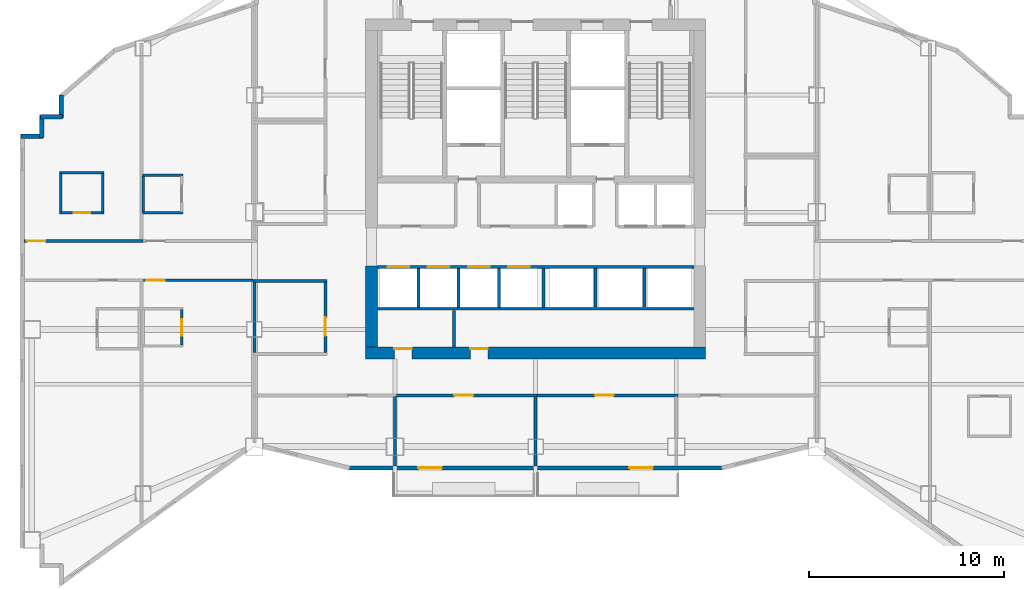
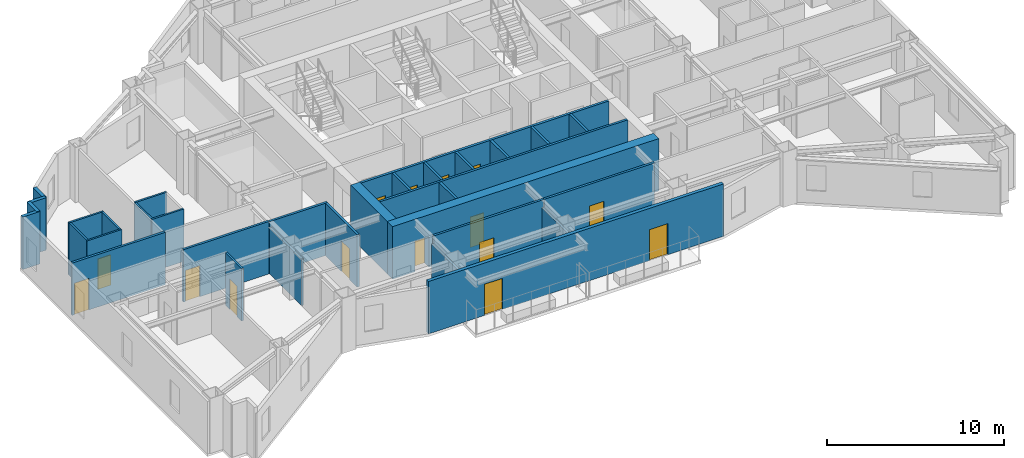
# One storey, part 5 of 12: 33 walls, 15 doors, 15 openings.
"""IFC4 building model written with IfcOpenShell, lengths in metres."""

from ifc_helpers import new_model, si_unit, direction, frame, frame_2d, origin, place, context, subcontext, project, spatial, rectangle, extrude, material, layer, layer_set, type_object, element, fill, save


model = new_model("IFC4")

# Units and contexts
model_context = context("Model", 3, precision=1e-05, world=origin(), true_north=direction((0.0, 1.0)))
body_context = subcontext(model_context, "Body", "Model", "MODEL_VIEW")
ifc_project = project(units=[si_unit("LENGTHUNIT", "METRE"), si_unit("AREAUNIT", "SQUARE_METRE"), si_unit("VOLUMEUNIT", "CUBIC_METRE"), si_unit("PLANEANGLEUNIT", "RADIAN"), si_unit("MASSUNIT", "GRAM", prefix="KILO")], contexts=[model_context])

# Site, building, storey
site_placement = place(None, origin())
site = spatial("IfcSite", under=ifc_project, at=site_placement, CompositionType="ELEMENT")
building_placement = place(site_placement, origin())
building = spatial("IfcBuilding", under=site, at=building_placement, Name="Haolan Belvedere Tower", CompositionType="ELEMENT")
storey_placement = place(building_placement, frame((0.0, 0.0, 169.0)))
storey = spatial("IfcBuildingStorey", under=building, at=storey_placement, Name="L42", CompositionType="ELEMENT", Elevation=169.0)

# Wall, openings, doors
ifc_material_1 = material(Name="Concrete C60/75", Category="concrete")
ifc_layer_1 = layer(ifc_material_1, 0.60009765625, Name="Concrete C60/75")
ifc_layer_set_1 = layer_set([ifc_layer_1], Name="Concrete C60/75")
wall_type_1 = type_object("IfcWallType", Name="WL-CORE-600", PredefinedType="SHEAR", material=ifc_layer_set_1)
wall_1_placement = place(storey_placement, frame((29.699951171875, 26.39990234375, 0.0), z_axis=(0.0, 0.0, 1.0), x_axis=(1.0, 0.0, 0.0)))
wall_1 = element("IfcWall", 1, at=wall_1_placement, inside=storey, type_object=wall_type_1, Name="L42 central core south shear wall", PredefinedType="SHEAR", context=body_context, shape_type="SweptSolid", body=[
    extrude(rectangle(XDim=17.400146484375, YDim=0.60009765625, at=frame_2d((8.7001953125, 0.0))), origin(), (0.0, 0.0, 1.0), 3.6201171875),
])
opening_1_placement = place(wall_1_placement, frame((2.369873046875, 0.0, 0.0), z_axis=(0.0, 0.0, 1.0), x_axis=(-1.0, 0.0, 0.0)))
opening_1 = element("IfcOpeningElement", 2, at=opening_1_placement, cuts=wall_1, Name="Opening FD-05", PredefinedType="OPENING", context=body_context, shape_type="SweptSolid", body=[
    extrude(rectangle(XDim=0.89990234375, YDim=2.10009765625, at=frame_2d((0.449951171875, 1.050048828125))), frame((0.0, 0.31005859375, 0.0), z_axis=(0.0, -1.0, 0.0), x_axis=(1.0, 0.0, 0.0)), (0.0, 0.0, 1.0), 0.6201171875),
])
opening_2_placement = place(wall_1_placement, frame((6.260009765625, 0.0, 0.0), z_axis=(0.0, 0.0, 1.0), x_axis=(-1.0, 0.0, 0.0)))
opening_2 = element("IfcOpeningElement", 3, at=opening_2_placement, cuts=wall_1, Name="Opening FD-05", PredefinedType="OPENING", context=body_context, shape_type="SweptSolid", body=[
    extrude(rectangle(XDim=0.89990234375, YDim=2.10009765625, at=frame_2d((0.449951171875, 1.050048828125))), frame((0.0, 0.31005859375, 0.0), z_axis=(0.0, -1.0, 0.0), x_axis=(1.0, 0.0, 0.0)), (0.0, 0.0, 1.0), 0.6201171875),
])
ifc_material_2 = material(Name="Galvanised fire-rated steel", Category="steel")
door_type_1 = type_object("IfcDoorType", Name="DR-FD60-900", OperationType="NOTDEFINED", PredefinedType="DOOR", material=ifc_material_2)
door_1_placement = place(opening_1_placement, origin())
door_1 = element("IfcDoor", 4, at=door_1_placement, inside=storey, type_object=door_type_1, Name="L42 door CD-L42-SCV-1", OperationType="SINGLE_SWING_LEFT", OverallHeight=2.10009765625, OverallWidth=0.89990234375, PredefinedType="DOOR", context=body_context, shape_type="SweptSolid", body=[
    extrude(rectangle(XDim=0.89990234375, YDim=2.10009765625, at=frame_2d((0.449951171875, 1.050048828125))), frame((0.0, -0.19482421875, 0.0), z_axis=(0.0, -1.0, 0.0), x_axis=(1.0, 0.0, 0.0)), (0.0, 0.0, 1.0), 0.050048828125),
])
fill(opening_1, door_1)
door_2_placement = place(opening_2_placement, origin())
door_2 = element("IfcDoor", 5, at=door_2_placement, inside=storey, type_object=door_type_1, Name="L42 door CD-L42-SCV-2", OperationType="SINGLE_SWING_RIGHT", OverallHeight=2.10009765625, OverallWidth=0.89990234375, PredefinedType="DOOR", context=body_context, shape_type="SweptSolid", body=[
    extrude(rectangle(XDim=0.89990234375, YDim=2.10009765625, at=frame_2d((0.449951171875, 1.050048828125))), frame((0.0, -0.19482421875, 0.0), z_axis=(0.0, -1.0, 0.0), x_axis=(1.0, 0.0, 0.0)), (0.0, 0.0, 1.0), 0.050048828125),
])
fill(opening_2, door_2)

# Wall
wall_2_placement = place(storey_placement, frame((30.0, 26.699951171875, 0.0), z_axis=(0.0, 0.0, 1.0), x_axis=(0.0, 1.0, 0.0)))
element("IfcWall", 6, at=wall_2_placement, inside=storey, type_object=wall_type_1, Name="L42 central core shear wall WS", PredefinedType="SHEAR", context=body_context, shape_type="SweptSolid", body=[
    extrude(rectangle(XDim=4.150146484375, YDim=0.60009765625, at=frame_2d((2.0751953125, 0.0))), origin(), (0.0, 0.0, 1.0), 3.6201171875),
])

# Wall, openings, doors
ifc_material_3 = material(Name="Precast concrete C40/50", Category="concrete")
ifc_layer_2 = layer(ifc_material_3, 0.219970703125, Name="Precast concrete C40/50")
ifc_layer_set_2 = layer_set([ifc_layer_2], Name="Precast concrete C40/50")
wall_type_2 = type_object("IfcWallType", Name="WL-EXT-220", PredefinedType="SOLIDWALL", material=ifc_layer_set_2)
wall_3_placement = place(storey_placement, frame((28.758544921875, 20.510009765625, 0.0), z_axis=(0.0, 0.0, 1.0), x_axis=(1.0, 0.0, 0.0)))
wall_3 = element("IfcWall", 7, at=wall_3_placement, inside=storey, type_object=wall_type_2, Name="L42 pale-metal exterior spandrel wall 1.1", PredefinedType="SOLIDWALL", context=body_context, shape_type="SweptSolid", body=[
    extrude(rectangle(XDim=19.282958984375, YDim=0.219970703125, at=frame_2d((9.6416015625, 0.0))), origin(), (0.0, 0.0, 1.0), 3.6201171875),
])
opening_3_placement = place(wall_3_placement, frame((4.841552734375, 0.0, 0.0), z_axis=(0.0, 0.0, 1.0), x_axis=(-1.0, 0.0, 0.0)))
opening_3 = element("IfcOpeningElement", 8, at=opening_3_placement, cuts=wall_3, Name="Opening BD-01", PredefinedType="OPENING", context=body_context, shape_type="SweptSolid", body=[
    extrude(rectangle(XDim=1.199951171875, YDim=2.14990234375, at=frame_2d((0.60009765625, 1.074951171875))), frame((0.0, 0.119873046875, 0.0), z_axis=(0.0, -1.0, 0.0), x_axis=(1.0, 0.0, 0.0)), (0.0, 0.0, 1.0), 0.239990234375),
])
opening_4_placement = place(wall_3_placement, frame((15.641357421875, 0.0, 0.0), z_axis=(0.0, 0.0, 1.0), x_axis=(-1.0, 0.0, 0.0)))
opening_4 = element("IfcOpeningElement", 9, at=opening_4_placement, cuts=wall_3, Name="Opening BD-01", PredefinedType="OPENING", context=body_context, shape_type="SweptSolid", body=[
    extrude(rectangle(XDim=1.199951171875, YDim=2.14990234375, at=frame_2d((0.60009765625, 1.074951171875))), frame((0.0, 0.119873046875, 0.0), z_axis=(0.0, -1.0, 0.0), x_axis=(1.0, 0.0, 0.0)), (0.0, 0.0, 1.0), 0.239990234375),
])
ifc_material_4 = material(Name="Thermally broken pale-metal aluminium and Low-E glass", Category="aluminium")
door_type_2 = type_object("IfcDoorType", Name="DR-BAL-1200", OperationType="NOTDEFINED", PredefinedType="DOOR", material=ifc_material_4)
door_3_placement = place(opening_3_placement, origin())
door_3 = element("IfcDoor", 10, at=door_3_placement, inside=storey, type_object=door_type_2, Name="L42 tree-balcony access door 1", OperationType="SINGLE_SWING_RIGHT", OverallHeight=2.14990234375, OverallWidth=1.199951171875, PredefinedType="DOOR", context=body_context, shape_type="SweptSolid", body=[
    extrude(rectangle(XDim=1.199951171875, YDim=2.14990234375, at=frame_2d((0.60009765625, 1.074951171875))), frame((0.0, 0.02490234375, 0.0), z_axis=(0.0, -1.0, 0.0), x_axis=(1.0, 0.0, 0.0)), (0.0, 0.0, 1.0), 0.050048828125),
])
fill(opening_3, door_3)
door_4_placement = place(opening_4_placement, origin())
door_4 = element("IfcDoor", 11, at=door_4_placement, inside=storey, type_object=door_type_2, Name="L42 tree-balcony access door 2", OperationType="SINGLE_SWING_LEFT", OverallHeight=2.14990234375, OverallWidth=1.199951171875, PredefinedType="DOOR", context=body_context, shape_type="SweptSolid", body=[
    extrude(rectangle(XDim=1.199951171875, YDim=2.14990234375, at=frame_2d((0.60009765625, 1.074951171875))), frame((0.0, 0.02490234375, 0.0), z_axis=(0.0, -1.0, 0.0), x_axis=(1.0, 0.0, 0.0)), (0.0, 0.0, 1.0), 0.050048828125),
])
fill(opening_4, door_4)

# Walls
wall_4_placement = place(storey_placement, frame((14.110107421875, 39.6044921875, 0.0), z_axis=(0.0, 0.0, 1.0), x_axis=(0.0, -1.0, 0.0)))
element("IfcWall", 12, at=wall_4_placement, inside=storey, type_object=wall_type_2, Name="L42 pale-metal exterior spandrel wall 31.1", PredefinedType="SOLIDWALL", context=body_context, shape_type="SweptSolid", body=[
    extrude(rectangle(XDim=1.16943359375, YDim=0.219970703125, at=frame_2d((0.584716796875, 0.0))), origin(), (0.0, 0.0, 1.0), 3.6201171875),
])
wall_5_placement = place(storey_placement, frame((14.1650390625, 38.489990234375, 0.0), z_axis=(0.0, 0.0, 1.0), x_axis=(-1.0, 0.0, 0.0)))
element("IfcWall", 13, at=wall_5_placement, inside=storey, type_object=wall_type_2, Name="L42 pale-metal exterior spandrel wall 32.1", PredefinedType="SOLIDWALL", context=body_context, shape_type="SweptSolid", body=[
    extrude(rectangle(XDim=1.110107421875, YDim=0.219970703125, at=frame_2d((0.55517578125, 0.0))), origin(), (0.0, 0.0, 1.0), 3.6201171875),
])
wall_6_placement = place(storey_placement, frame((13.110107421875, 38.544921875, 0.0), z_axis=(0.0, 0.0, 1.0), x_axis=(0.0, -1.0, 0.0)))
element("IfcWall", 14, at=wall_6_placement, inside=storey, type_object=wall_type_2, Name="L42 pale-metal exterior spandrel wall 33.1", PredefinedType="SOLIDWALL", context=body_context, shape_type="SweptSolid", body=[
    extrude(rectangle(XDim=1.10986328125, YDim=0.219970703125, at=frame_2d((0.554931640625, 0.0))), origin(), (0.0, 0.0, 1.0), 3.6201171875),
])
wall_7_placement = place(storey_placement, frame((13.1650390625, 37.489990234375, 0.0), z_axis=(0.0, 0.0, 1.0), x_axis=(-1.0, 0.0, 0.0)))
element("IfcWall", 15, at=wall_7_placement, inside=storey, type_object=wall_type_2, Name="L42 pale-metal exterior spandrel wall 34.1", PredefinedType="SOLIDWALL", context=body_context, shape_type="SweptSolid", body=[
    extrude(rectangle(XDim=1.110107421875, YDim=0.219970703125, at=frame_2d((0.55517578125, 0.0))), origin(), (0.0, 0.0, 1.0), 3.6201171875),
])
ifc_material_5 = material(Name="Double gypsum acoustic stud partition", Category="masonry")
ifc_layer_3 = layer(ifc_material_5, 0.14990234375, Name="Double gypsum acoustic stud partition")
ifc_layer_set_3 = layer_set([ifc_layer_3], Name="Double gypsum acoustic stud partition")
wall_type_3 = type_object("IfcWallType", Name="WL-PART-150", PredefinedType="PARTITIONING", material=ifc_layer_set_3)
wall_8_placement = place(storey_placement, frame((30.300048828125, 28.659912109375, 0.0), z_axis=(0.0, 0.0, 1.0), x_axis=(1.0, 0.0, 0.0)))
element("IfcWall", 16, at=wall_8_placement, inside=storey, type_object=wall_type_3, Name="L42 interior partition IW-L42-SSTRIP-N", PredefinedType="PARTITIONING", context=body_context, shape_type="SweptSolid", body=[
    extrude(rectangle(XDim=16.199951171875, YDim=0.14990234375, at=frame_2d((8.10009765625, 0.0))), origin(), (0.0, 0.0, 1.0), 3.6201171875),
])
wall_9_placement = place(storey_placement, frame((34.22998046875, 26.7099609375, 0.0), z_axis=(0.0, 0.0, 1.0), x_axis=(0.0, 1.0, 0.0)))
element("IfcWall", 17, at=wall_9_placement, inside=storey, type_object=wall_type_3, Name="L42 interior partition IW-L42-SCV-DIV-1", PredefinedType="PARTITIONING", context=body_context, shape_type="SweptSolid", body=[
    extrude(rectangle(XDim=1.8701171875, YDim=0.14990234375, at=frame_2d((0.93505859375, 0.0))), origin(), (0.0, 0.0, 1.0), 3.6201171875),
])
wall_10_placement = place(storey_placement, frame((23.919921875, 30.080078125, 0.0), z_axis=(0.0, 0.0, 1.0), x_axis=(1.0, 0.0, 0.0)))
element("IfcWall", 18, at=wall_10_placement, inside=storey, type_object=wall_type_3, Name="L42 interior partition IW-L42-PKTW-N", PredefinedType="PARTITIONING", context=body_context, shape_type="SweptSolid", body=[
    extrude(rectangle(XDim=3.800048828125, YDim=0.14990234375, at=frame_2d((1.89990234375, 0.0))), origin(), (0.0, 0.0, 1.0), 3.6201171875),
])
wall_11_placement = place(storey_placement, frame((24.0, 26.409912109375, 0.0), z_axis=(0.0, 0.0, 1.0), x_axis=(0.0, 1.0, 0.0)))
element("IfcWall", 19, at=wall_11_placement, inside=storey, type_object=wall_type_3, Name="L42 interior partition IW-L42-PKTW-W", PredefinedType="PARTITIONING", context=body_context, shape_type="SweptSolid", body=[
    extrude(rectangle(XDim=3.610107421875, YDim=0.14990234375, at=frame_2d((1.80517578125, 0.0))), origin(), (0.0, 0.0, 1.0), 3.215087890625),
])

# Wall, opening, door
wall_12_placement = place(storey_placement, frame((27.639892578125, 26.409912109375, 0.0), z_axis=(0.0, 0.0, 1.0), x_axis=(0.0, 1.0, 0.0)))
wall_12 = element("IfcWall", 20, at=wall_12_placement, inside=storey, type_object=wall_type_3, Name="L42 interior partition IW-L42-PKTW-E", PredefinedType="PARTITIONING", context=body_context, shape_type="SweptSolid", body=[
    extrude(rectangle(XDim=3.610107421875, YDim=0.14990234375, at=frame_2d((1.80517578125, 0.0))), origin(), (0.0, 0.0, 1.0), 3.6201171875),
])
opening_5_placement = place(wall_12_placement, frame((1.81005859375, 0.0, 0.0), z_axis=(0.0, 0.0, 1.0), x_axis=(-1.0, 0.0, 0.0)))
opening_5 = element("IfcOpeningElement", 21, at=opening_5_placement, cuts=wall_12, Name="Opening ID-03", PredefinedType="OPENING", context=body_context, shape_type="SweptSolid", body=[
    extrude(rectangle(XDim=0.949951171875, YDim=2.1201171875, at=frame_2d((0.47509765625, 1.06005859375))), frame((0.0, 0.0849609375, 0.0), z_axis=(0.0, -1.0, 0.0), x_axis=(1.0, 0.0, 0.0)), (0.0, 0.0, 1.0), 0.169921875),
])
ifc_material_6 = material(Name="Painted solid-core timber", Category="wood")
door_type_3 = type_object("IfcDoorType", Name="DR-INT-950", OperationType="NOTDEFINED", PredefinedType="DOOR", material=ifc_material_6)
door_5_placement = place(opening_5_placement, origin())
door_5 = element("IfcDoor", 22, at=door_5_placement, inside=storey, type_object=door_type_3, Name="L42 door ID-L42-PKTW", OperationType="SINGLE_SWING_LEFT", OverallHeight=2.1201171875, OverallWidth=0.949951171875, PredefinedType="DOOR", context=body_context, shape_type="SweptSolid", body=[
    extrude(rectangle(XDim=0.949951171875, YDim=2.1201171875, at=frame_2d((0.47509765625, 1.06005859375))), frame((0.0, 0.02490234375, 0.0), z_axis=(0.0, -1.0, 0.0), x_axis=(1.0, 0.0, 0.0)), (0.0, 0.0, 1.0), 0.050048828125),
])
fill(opening_5, door_5)

# Wall
wall_13_placement = place(storey_placement, frame((31.199951171875, 20.612060546875, 0.0), z_axis=(0.0, 0.0, 1.0), x_axis=(0.0, 1.0, 0.0)))
element("IfcWall", 23, at=wall_13_placement, inside=storey, type_object=wall_type_3, Name="L42 interior partition IW-L42-KS1-E", PredefinedType="PARTITIONING", context=body_context, shape_type="SweptSolid", body=[
    extrude(rectangle(XDim=3.5478515625, YDim=0.14990234375, at=frame_2d((1.77392578125, 0.0))), origin(), (0.0, 0.0, 1.0), 3.10498046875),
])

# Wall, opening, door
wall_14_placement = place(storey_placement, frame((31.281982421875, 24.219970703125, 0.0), z_axis=(0.0, 0.0, 1.0), x_axis=(1.0, 0.0, 0.0)))
wall_14 = element("IfcWall", 24, at=wall_14_placement, inside=storey, type_object=wall_type_3, Name="L42 interior partition IW-L42-KS2-N", PredefinedType="PARTITIONING", context=body_context, shape_type="SweptSolid", body=[
    extrude(rectangle(XDim=7.197998046875, YDim=0.14990234375, at=frame_2d((3.59912109375, 0.0))), origin(), (0.0, 0.0, 1.0), 3.6201171875),
])
opening_6_placement = place(wall_14_placement, frame((3.912841796875, 0.0, 0.0), z_axis=(0.0, 0.0, 1.0), x_axis=(-1.0, 0.0, 0.0)))
opening_6 = element("IfcOpeningElement", 25, at=opening_6_placement, cuts=wall_14, Name="Opening ID-03", PredefinedType="OPENING", context=body_context, shape_type="SweptSolid", body=[
    extrude(rectangle(XDim=0.949951171875, YDim=2.1201171875, at=frame_2d((0.47509765625, 1.06005859375))), frame((0.0, 0.0849609375, 0.0), z_axis=(0.0, -1.0, 0.0), x_axis=(1.0, 0.0, 0.0)), (0.0, 0.0, 1.0), 0.169921875),
])
door_6_placement = place(opening_6_placement, origin())
door_6 = element("IfcDoor", 26, at=door_6_placement, inside=storey, type_object=door_type_3, Name="L42 door ID-L42-KS2", OperationType="SINGLE_SWING_LEFT", OverallHeight=2.1201171875, OverallWidth=0.949951171875, PredefinedType="DOOR", context=body_context, shape_type="SweptSolid", body=[
    extrude(rectangle(XDim=0.949951171875, YDim=2.1201171875, at=frame_2d((0.47509765625, 1.06005859375))), frame((0.0, 0.02490234375, 0.0), z_axis=(0.0, -1.0, 0.0), x_axis=(1.0, 0.0, 0.0)), (0.0, 0.0, 1.0), 0.050048828125),
])
fill(opening_6, door_6)

# Wall
wall_15_placement = place(storey_placement, frame((38.39990234375, 20.612060546875, 0.0), z_axis=(0.0, 0.0, 1.0), x_axis=(0.0, 1.0, 0.0)))
element("IfcWall", 27, at=wall_15_placement, inside=storey, type_object=wall_type_3, Name="L42 interior partition IW-L42-KS2-E", PredefinedType="PARTITIONING", context=body_context, shape_type="SweptSolid", body=[
    extrude(rectangle(XDim=3.5478515625, YDim=0.14990234375, at=frame_2d((1.77392578125, 0.0))), origin(), (0.0, 0.0, 1.0), 3.10498046875),
])

# Wall, opening, door
wall_16_placement = place(storey_placement, frame((38.48193359375, 24.219970703125, 0.0), z_axis=(0.0, 0.0, 1.0), x_axis=(1.0, 0.0, 0.0)))
wall_16 = element("IfcWall", 28, at=wall_16_placement, inside=storey, type_object=wall_type_3, Name="L42 interior partition IW-L42-KS3-N", PredefinedType="PARTITIONING", context=body_context, shape_type="SweptSolid", body=[
    extrude(rectangle(XDim=7.197998046875, YDim=0.14990234375, at=frame_2d((3.59912109375, 0.0))), origin(), (0.0, 0.0, 1.0), 3.6201171875),
])
opening_7_placement = place(wall_16_placement, frame((3.912841796875, 0.0, 0.0), z_axis=(0.0, 0.0, 1.0), x_axis=(-1.0, 0.0, 0.0)))
opening_7 = element("IfcOpeningElement", 29, at=opening_7_placement, cuts=wall_16, Name="Opening ID-03", PredefinedType="OPENING", context=body_context, shape_type="SweptSolid", body=[
    extrude(rectangle(XDim=0.949951171875, YDim=2.1201171875, at=frame_2d((0.47509765625, 1.06005859375))), frame((0.0, 0.0849609375, 0.0), z_axis=(0.0, -1.0, 0.0), x_axis=(1.0, 0.0, 0.0)), (0.0, 0.0, 1.0), 0.169921875),
])
door_7_placement = place(opening_7_placement, origin())
door_7 = element("IfcDoor", 30, at=door_7_placement, inside=storey, type_object=door_type_3, Name="L42 door ID-L42-KS3", OperationType="SINGLE_SWING_RIGHT", OverallHeight=2.1201171875, OverallWidth=0.949951171875, PredefinedType="DOOR", context=body_context, shape_type="SweptSolid", body=[
    extrude(rectangle(XDim=0.949951171875, YDim=2.1201171875, at=frame_2d((0.47509765625, 1.06005859375))), frame((0.0, 0.02490234375, 0.0), z_axis=(0.0, -1.0, 0.0), x_axis=(1.0, 0.0, 0.0)), (0.0, 0.0, 1.0), 0.050048828125),
])
fill(opening_7, door_7)

wall_17_placement = place(storey_placement, frame((12.2119140625, 32.1298828125, 0.0), z_axis=(0.0, 0.0, 1.0), x_axis=(1.0, 0.0, 0.0)))
wall_17 = element("IfcWall", 31, at=wall_17_placement, inside=storey, type_object=wall_type_3, Name="L42 interior partition IW-L42-T2N1-S", PredefinedType="PARTITIONING", context=body_context, shape_type="SweptSolid", body=[
    extrude(rectangle(XDim=6.09814453125, YDim=0.14990234375, at=frame_2d((3.049072265625, 0.0))), origin(), (0.0, 0.0, 1.0), 3.6201171875),
])
opening_8_placement = place(wall_17_placement, frame((0.139892578125, 0.0, 0.0)))
opening_8 = element("IfcOpeningElement", 32, at=opening_8_placement, cuts=wall_17, Name="Opening ID-01", PredefinedType="OPENING", context=body_context, shape_type="SweptSolid", body=[
    extrude(rectangle(XDim=0.949951171875, YDim=2.179931640625, at=frame_2d((0.47509765625, 1.08984375))), frame((0.0, 0.0849609375, 0.0), z_axis=(0.0, -1.0, 0.0), x_axis=(1.0, 0.0, 0.0)), (0.0, 0.0, 1.0), 0.169921875),
])
ifc_material_7 = material(Name="Acoustic walnut veneer fire-rated timber", Category="wood")
door_type_4 = type_object("IfcDoorType", Name="DR-SUITE-950", OperationType="NOTDEFINED", PredefinedType="DOOR", material=ifc_material_7)
door_8_placement = place(opening_8_placement, origin())
door_8 = element("IfcDoor", 33, at=door_8_placement, inside=storey, type_object=door_type_4, Name="L42 door ID-L42-T2N1-ENT", OperationType="SINGLE_SWING_RIGHT", OverallHeight=2.179931640625, OverallWidth=0.949951171875, PredefinedType="DOOR", context=body_context, shape_type="SweptSolid", body=[
    extrude(rectangle(XDim=0.949951171875, YDim=2.179931640625, at=frame_2d((0.47509765625, 1.08984375))), frame((0.0, 0.02490234375, 0.0), z_axis=(0.0, -1.0, 0.0), x_axis=(1.0, 0.0, 0.0)), (0.0, 0.0, 1.0), 0.050048828125),
])
fill(opening_8, door_8)

wall_18_placement = place(storey_placement, frame((18.31201171875, 30.1201171875, 0.0), z_axis=(0.0, 0.0, 1.0), x_axis=(1.0, 0.0, 0.0)))
wall_18 = element("IfcWall", 34, at=wall_18_placement, inside=storey, type_object=wall_type_3, Name="L42 interior partition IW-L42-T2S2-N", PredefinedType="PARTITIONING", context=body_context, shape_type="SweptSolid", body=[
    extrude(rectangle(XDim=5.60595703125, YDim=0.14990234375, at=frame_2d((2.802978515625, 0.0))), origin(), (0.0, 0.0, 1.0), 3.6201171875),
])
opening_9_placement = place(wall_18_placement, frame((1.08984375, 0.0, 0.0), z_axis=(0.0, 0.0, 1.0), x_axis=(-1.0, 0.0, 0.0)))
opening_9 = element("IfcOpeningElement", 35, at=opening_9_placement, cuts=wall_18, Name="Opening ID-02", PredefinedType="OPENING", context=body_context, shape_type="SweptSolid", body=[
    extrude(rectangle(XDim=0.949951171875, YDim=2.14990234375, at=frame_2d((0.47509765625, 1.074951171875))), frame((0.0, 0.0849609375, 0.0), z_axis=(0.0, -1.0, 0.0), x_axis=(1.0, 0.0, 0.0)), (0.0, 0.0, 1.0), 0.169921875),
])
ifc_material_8 = material(Name="Acoustic oak veneer fire-rated timber", Category="wood")
door_type_5 = type_object("IfcDoorType", Name="DR-GUEST-950", OperationType="NOTDEFINED", PredefinedType="DOOR", material=ifc_material_8)
door_9_placement = place(opening_9_placement, origin())
door_9 = element("IfcDoor", 36, at=door_9_placement, inside=storey, type_object=door_type_5, Name="L42 door ID-L42-T2S2-ENT", OperationType="SINGLE_SWING_LEFT", OverallHeight=2.14990234375, OverallWidth=0.949951171875, PredefinedType="DOOR", context=body_context, shape_type="SweptSolid", body=[
    extrude(rectangle(XDim=0.949951171875, YDim=2.14990234375, at=frame_2d((0.47509765625, 1.074951171875))), frame((0.0, 0.02490234375, 0.0), z_axis=(0.0, -1.0, 0.0), x_axis=(1.0, 0.0, 0.0)), (0.0, 0.0, 1.0), 0.050048828125),
])
fill(opening_9, door_9)

# Wall, openings, doors
ifc_material_9 = material(Name="Gypsum fire shaftwall assembly", Category="masonry")
ifc_layer_4 = layer(ifc_material_9, 0.1650390625, Name="Gypsum fire shaftwall assembly")
ifc_layer_set_4 = layer_set([ifc_layer_4], Name="Gypsum fire shaftwall assembly")
wall_type_4 = type_object("IfcWallType", Name="WL-SHAFT-160", PredefinedType="SOLIDWALL", material=ifc_layer_set_4)
wall_19_placement = place(storey_placement, frame((30.300048828125, 30.800048828125, 0.0), z_axis=(0.0, 0.0, 1.0), x_axis=(1.0, 0.0, 0.0)))
wall_19 = element("IfcWall", 37, at=wall_19_placement, inside=storey, type_object=wall_type_4, Name="L42 interior partition IW-L42-ROW-PS", PredefinedType="SOLIDWALL", context=body_context, shape_type="SweptSolid", body=[
    extrude(rectangle(XDim=16.199951171875, YDim=0.159912109375, at=frame_2d((8.10009765625, 0.0))), origin(), (0.0, 0.0, 1.0), 3.6201171875),
])
opening_10_placement = place(wall_19_placement, frame((0.52001953125, 0.0, 0.0)))
opening_10 = element("IfcOpeningElement", 38, at=opening_10_placement, cuts=wall_19, Name="Opening LD-01", PredefinedType="OPENING", context=body_context, shape_type="SweptSolid", body=[
    extrude(rectangle(XDim=1.10009765625, YDim=2.199951171875, at=frame_2d((0.550048828125, 1.10009765625))), frame((0.0, 0.08984375, 0.0), z_axis=(0.0, -1.0, 0.0), x_axis=(1.0, 0.0, 0.0)), (0.0, 0.0, 1.0), 0.179931640625),
])
opening_11_placement = place(wall_19_placement, frame((2.580078125, 0.0, 0.0)))
opening_11 = element("IfcOpeningElement", 39, at=opening_11_placement, cuts=wall_19, Name="Opening LD-01", PredefinedType="OPENING", context=body_context, shape_type="SweptSolid", body=[
    extrude(rectangle(XDim=1.10009765625, YDim=2.199951171875, at=frame_2d((0.550048828125, 1.10009765625))), frame((0.0, 0.08984375, 0.0), z_axis=(0.0, -1.0, 0.0), x_axis=(1.0, 0.0, 0.0)), (0.0, 0.0, 1.0), 0.179931640625),
])
opening_12_placement = place(wall_19_placement, frame((4.639892578125, 0.0, 0.0)))
opening_12 = element("IfcOpeningElement", 40, at=opening_12_placement, cuts=wall_19, Name="Opening LD-01", PredefinedType="OPENING", context=body_context, shape_type="SweptSolid", body=[
    extrude(rectangle(XDim=1.10009765625, YDim=2.199951171875, at=frame_2d((0.550048828125, 1.10009765625))), frame((0.0, 0.08984375, 0.0), z_axis=(0.0, -1.0, 0.0), x_axis=(1.0, 0.0, 0.0)), (0.0, 0.0, 1.0), 0.179931640625),
])
opening_13_placement = place(wall_19_placement, frame((6.699951171875, 0.0, 0.0)))
opening_13 = element("IfcOpeningElement", 41, at=opening_13_placement, cuts=wall_19, Name="Opening LD-01", PredefinedType="OPENING", context=body_context, shape_type="SweptSolid", body=[
    extrude(rectangle(XDim=1.10009765625, YDim=2.199951171875, at=frame_2d((0.550048828125, 1.10009765625))), frame((0.0, 0.08984375, 0.0), z_axis=(0.0, -1.0, 0.0), x_axis=(1.0, 0.0, 0.0)), (0.0, 0.0, 1.0), 0.179931640625),
])
ifc_material_10 = material(Name="Brushed champagne stainless steel 316L", Category="steel")
door_type_6 = type_object("IfcDoorType", Name="DR-LIFT-1100", OperationType="SLIDING_TO_LEFT", PredefinedType="DOOR", material=ifc_material_10)
door_10_placement = place(opening_10_placement, origin())
door_10 = element("IfcDoor", 42, at=door_10_placement, inside=storey, type_object=door_type_6, Name="L42 door ID-L42-LD-PM1", OperationType="SLIDING_TO_LEFT", OverallHeight=2.199951171875, OverallWidth=1.10009765625, PredefinedType="DOOR", context=body_context, shape_type="SweptSolid", body=[
    extrude(rectangle(XDim=1.10009765625, YDim=2.199951171875, at=frame_2d((0.550048828125, 1.10009765625))), frame((0.0, 0.02490234375, 0.0), z_axis=(0.0, -1.0, 0.0), x_axis=(1.0, 0.0, 0.0)), (0.0, 0.0, 1.0), 0.050048828125),
])
fill(opening_10, door_10)
door_11_placement = place(opening_11_placement, origin())
door_11 = element("IfcDoor", 43, at=door_11_placement, inside=storey, type_object=door_type_6, Name="L42 door ID-L42-LD-PM2", OperationType="SLIDING_TO_LEFT", OverallHeight=2.199951171875, OverallWidth=1.10009765625, PredefinedType="DOOR", context=body_context, shape_type="SweptSolid", body=[
    extrude(rectangle(XDim=1.10009765625, YDim=2.199951171875, at=frame_2d((0.550048828125, 1.10009765625))), frame((0.0, 0.02490234375, 0.0), z_axis=(0.0, -1.0, 0.0), x_axis=(1.0, 0.0, 0.0)), (0.0, 0.0, 1.0), 0.050048828125),
])
fill(opening_11, door_11)
door_12_placement = place(opening_12_placement, origin())
door_12 = element("IfcDoor", 44, at=door_12_placement, inside=storey, type_object=door_type_6, Name="L42 door ID-L42-LD-PM3", OperationType="SLIDING_TO_LEFT", OverallHeight=2.199951171875, OverallWidth=1.10009765625, PredefinedType="DOOR", context=body_context, shape_type="SweptSolid", body=[
    extrude(rectangle(XDim=1.10009765625, YDim=2.199951171875, at=frame_2d((0.550048828125, 1.10009765625))), frame((0.0, 0.02490234375, 0.0), z_axis=(0.0, -1.0, 0.0), x_axis=(1.0, 0.0, 0.0)), (0.0, 0.0, 1.0), 0.050048828125),
])
fill(opening_12, door_12)
door_13_placement = place(opening_13_placement, origin())
door_13 = element("IfcDoor", 45, at=door_13_placement, inside=storey, type_object=door_type_6, Name="L42 door ID-L42-LD-PM4", OperationType="SLIDING_TO_LEFT", OverallHeight=2.199951171875, OverallWidth=1.10009765625, PredefinedType="DOOR", context=body_context, shape_type="SweptSolid", body=[
    extrude(rectangle(XDim=1.10009765625, YDim=2.199951171875, at=frame_2d((0.550048828125, 1.10009765625))), frame((0.0, 0.02490234375, 0.0), z_axis=(0.0, -1.0, 0.0), x_axis=(1.0, 0.0, 0.0)), (0.0, 0.0, 1.0), 0.050048828125),
])
fill(opening_13, door_13)

# Walls
for number, where, z_axis, x_axis, name in (
    (46, (32.39990234375, 28.735107421875, 0.0), (0.0, 0.0, 1.0), (0.0, 1.0, 0.0), "L42 interior partition IW-L42-DIV-PM1"),
    (47, (34.4599609375, 28.735107421875, 0.0), (0.0, 0.0, 1.0), (0.0, 1.0, 0.0), "L42 interior partition IW-L42-DIV-PM2"),
    (48, (36.52001953125, 28.735107421875, 0.0), (0.0, 0.0, 1.0), (0.0, 1.0, 0.0), "L42 interior partition IW-L42-DIV-PM3"),
    (49, (38.800048828125, 28.735107421875, 0.0), (0.0, 0.0, 1.0), (0.0, 1.0, 0.0), "L42 interior partition IW-L42-DIV-PM4"),
):
    element("IfcWall", number, at=place(storey_placement, frame(where, z_axis=z_axis, x_axis=x_axis)), inside=storey, type_object=wall_type_4, Name=name, PredefinedType="SOLIDWALL", context=body_context, shape_type="SweptSolid", body=[
        extrude(rectangle(XDim=1.98486328125, YDim=0.14990234375, at=frame_2d((0.992431640625, 0.0))), origin(), (0.0, 0.0, 1.0), 3.6201171875),
    ])
for number, where, z_axis, x_axis, name in (
    (50, (41.469970703125, 28.75, 0.0), (0.0, 0.0, 1.0), (0.0, 1.0, 0.0), "L42 interior partition IW-L42-DIV-OB1"),
    (51, (43.97998046875, 28.75, 0.0), (0.0, 0.0, 1.0), (0.0, 1.0, 0.0), "L42 interior partition IW-L42-DIV-OB2"),
):
    element("IfcWall", number, at=place(storey_placement, frame(where, z_axis=z_axis, x_axis=x_axis)), inside=storey, type_object=wall_type_4, Name=name, PredefinedType="SOLIDWALL", context=body_context, shape_type="SweptSolid", body=[
        extrude(rectangle(XDim=1.985107421875, YDim=0.14990234375, at=frame_2d((0.99267578125, 0.0))), origin(), (0.0, 0.0, 1.0), 3.6201171875),
    ])
ifc_material_11 = material(Name="Moisture-resistant gypsum tile partition", Category="masonry")
ifc_layer_5 = layer(ifc_material_11, 0.1201171875, Name="Moisture-resistant gypsum tile partition")
ifc_layer_set_5 = layer_set([ifc_layer_5], Name="Moisture-resistant gypsum tile partition")
wall_type_5 = type_object("IfcWallType", Name="WL-WET-120", PredefinedType="PARTITIONING", material=ifc_layer_set_5)
wall_20_placement = place(storey_placement, frame((14.034912109375, 35.6298828125, 0.0), z_axis=(0.0, 0.0, 1.0), x_axis=(1.0, 0.0, 0.0)))
element("IfcWall", 52, at=wall_20_placement, inside=storey, type_object=wall_type_5, Name="L42 interior partition IW-L42-T2N1-BN", PredefinedType="PARTITIONING", context=body_context, shape_type="SweptSolid", body=[
    extrude(rectangle(XDim=2.27001953125, YDim=0.1201171875, at=frame_2d((1.135009765625, 0.0))), origin(), (0.0, 0.0, 1.0), 3.6201171875),
])

# Wall, opening, door
wall_21_placement = place(storey_placement, frame((14.034912109375, 33.580078125, 0.0), z_axis=(0.0, 0.0, 1.0), x_axis=(1.0, 0.0, 0.0)))
wall_21 = element("IfcWall", 53, at=wall_21_placement, inside=storey, type_object=wall_type_5, Name="L42 interior partition IW-L42-T2N1-BS", PredefinedType="PARTITIONING", context=body_context, shape_type="SweptSolid", body=[
    extrude(rectangle(XDim=2.27001953125, YDim=0.1201171875, at=frame_2d((1.135009765625, 0.0))), origin(), (0.0, 0.0, 1.0), 3.6201171875),
])
opening_14_placement = place(wall_21_placement, frame((0.7099609375, 0.0, 0.0)))
opening_14 = element("IfcOpeningElement", 54, at=opening_14_placement, cuts=wall_21, Name="Opening ID-05", PredefinedType="OPENING", context=body_context, shape_type="SweptSolid", body=[
    extrude(rectangle(XDim=0.85009765625, YDim=2.10009765625, at=frame_2d((0.425048828125, 1.050048828125))), frame((0.0, 0.070068359375, 0.0), z_axis=(0.0, -1.0, 0.0), x_axis=(1.0, 0.0, 0.0)), (0.0, 0.0, 1.0), 0.14013671875),
])
ifc_material_12 = material(Name="Moisture-resistant lacquered timber", Category="wood")
door_type_7 = type_object("IfcDoorType", Name="DR-BATH-850", OperationType="NOTDEFINED", PredefinedType="DOOR", material=ifc_material_12)
door_14_placement = place(opening_14_placement, origin())
door_14 = element("IfcDoor", 55, at=door_14_placement, inside=storey, type_object=door_type_7, Name="L42 door ID-L42-T2N1-BATH", OperationType="SINGLE_SWING_LEFT", OverallHeight=2.10009765625, OverallWidth=0.85009765625, PredefinedType="DOOR", context=body_context, shape_type="SweptSolid", body=[
    extrude(rectangle(XDim=0.85009765625, YDim=2.10009765625, at=frame_2d((0.425048828125, 1.050048828125))), frame((0.0, 0.02490234375, 0.0), z_axis=(0.0, -1.0, 0.0), x_axis=(1.0, 0.0, 0.0)), (0.0, 0.0, 1.0), 0.050048828125),
])
fill(opening_14, door_14)

# Walls
for number, where, z_axis, x_axis, name in (
    (56, (14.094970703125, 33.625, 0.0), (0.0, 0.0, 1.0), (0.0, 1.0, 0.0), "L42 interior partition IW-L42-T2N1-BW"),
    (57, (16.2451171875, 33.625, 0.0), (0.0, 0.0, 1.0), (0.0, 1.0, 0.0), "L42 interior partition IW-L42-T2N1-BE"),
):
    element("IfcWall", number, at=place(storey_placement, frame(where, z_axis=z_axis, x_axis=x_axis)), inside=storey, type_object=wall_type_5, Name=name, PredefinedType="PARTITIONING", context=body_context, shape_type="SweptSolid", body=[
        extrude(rectangle(XDim=1.9599609375, YDim=0.1201171875, at=frame_2d((0.97998046875, 0.0))), origin(), (0.0, 0.0, 1.0), 3.6201171875),
    ])
for number, where, z_axis, x_axis, name in (
    (58, (18.27001953125, 35.5, 0.0), (0.0, 0.0, 1.0), (1.0, 0.0, 0.0), "L42 interior partition IW-L42-T2N2-BN"),
    (59, (18.27001953125, 33.580078125, 0.0), (0.0, 0.0, 1.0), (1.0, 0.0, 0.0), "L42 interior partition IW-L42-T2N2-BS"),
):
    element("IfcWall", number, at=place(storey_placement, frame(where, z_axis=z_axis, x_axis=x_axis)), inside=storey, type_object=wall_type_5, Name=name, PredefinedType="PARTITIONING", context=body_context, shape_type="SweptSolid", body=[
        extrude(rectangle(XDim=2.080078125, YDim=0.1201171875, at=frame_2d((1.0400390625, 0.0))), origin(), (0.0, 0.0, 1.0), 3.6201171875),
    ])
wall_22_placement = place(storey_placement, frame((18.31005859375, 33.625, 0.0), z_axis=(0.0, 0.0, 1.0), x_axis=(0.0, 1.0, 0.0)))
element("IfcWall", 60, at=wall_22_placement, inside=storey, type_object=wall_type_5, Name="L42 interior partition IW-L42-T2N2-BW", PredefinedType="PARTITIONING", context=body_context, shape_type="SweptSolid", body=[
    extrude(rectangle(XDim=1.830078125, YDim=0.1201171875, at=frame_2d((0.9150390625, 0.0))), origin(), (0.0, 0.0, 1.0), 3.6201171875),
])

# Wall, opening, door
wall_23_placement = place(storey_placement, frame((20.2900390625, 26.794921875, 0.0), z_axis=(0.0, 0.0, 1.0), x_axis=(0.0, 1.0, 0.0)))
wall_23 = element("IfcWall", 61, at=wall_23_placement, inside=storey, type_object=wall_type_5, Name="L42 interior partition IW-L42-T2S2-BE", PredefinedType="PARTITIONING", context=body_context, shape_type="SweptSolid", body=[
    extrude(rectangle(XDim=1.830078125, YDim=0.1201171875, at=frame_2d((0.9150390625, 0.0))), origin(), (0.0, 0.0, 1.0), 3.6201171875),
])
opening_15_placement = place(wall_23_placement, frame((0.489990234375, 0.0, 0.0)))
opening_15 = element("IfcOpeningElement", 62, at=opening_15_placement, cuts=wall_23, Name="Opening ID-05", PredefinedType="OPENING", context=body_context, shape_type="SweptSolid", body=[
    extrude(rectangle(XDim=0.85009765625, YDim=2.10009765625, at=frame_2d((0.425048828125, 1.050048828125))), frame((0.0, 0.070068359375, 0.0), z_axis=(0.0, -1.0, 0.0), x_axis=(1.0, 0.0, 0.0)), (0.0, 0.0, 1.0), 0.14013671875),
])
door_15_placement = place(opening_15_placement, origin())
door_15 = element("IfcDoor", 63, at=door_15_placement, inside=storey, type_object=door_type_7, Name="L42 door ID-L42-T2S2-BATH", OperationType="SINGLE_SWING_RIGHT", OverallHeight=2.10009765625, OverallWidth=0.85009765625, PredefinedType="DOOR", context=body_context, shape_type="SweptSolid", body=[
    extrude(rectangle(XDim=0.85009765625, YDim=2.10009765625, at=frame_2d((0.425048828125, 1.050048828125))), frame((0.0, 0.02490234375, 0.0), z_axis=(0.0, -1.0, 0.0), x_axis=(1.0, 0.0, 0.0)), (0.0, 0.0, 1.0), 0.050048828125),
])
fill(opening_15, door_15)

save(model, "model.ifc")
